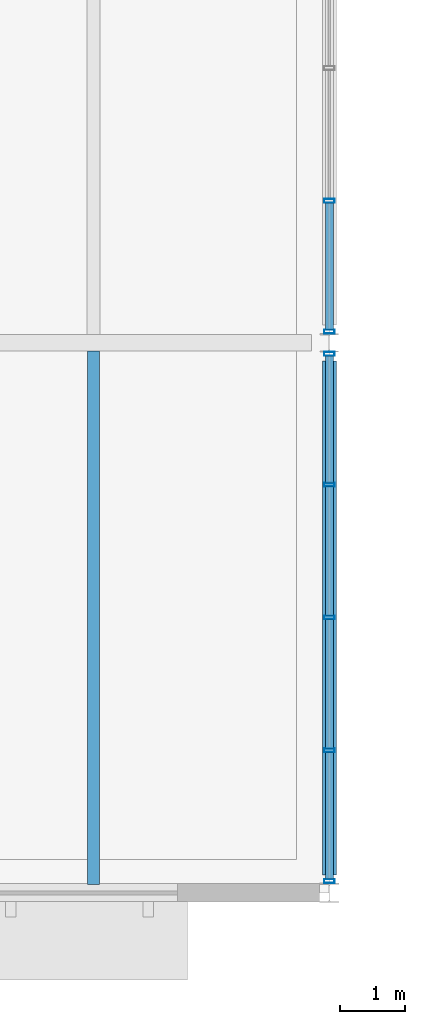
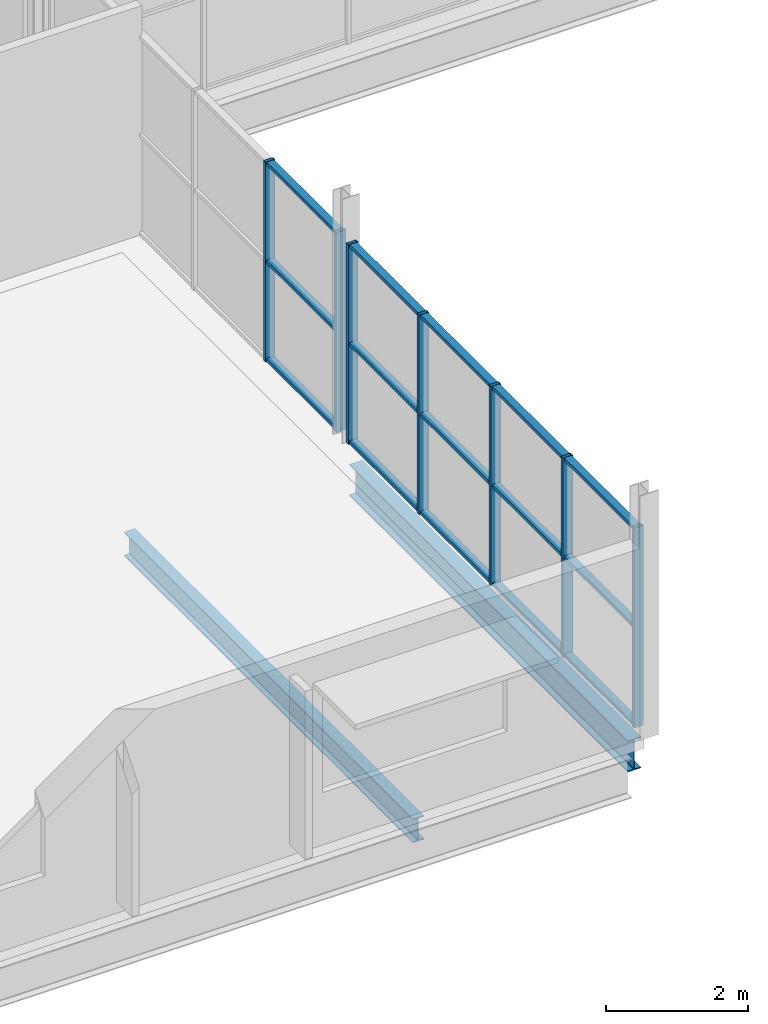
# One storey, part 30 of 161: 22 members, 2 beams, 2 elements without a shape of their own.
"""IFC4 building model written with IfcOpenShell, lengths in metres."""

from ifc_helpers import new_model, si_unit, direction, frame, origin, origin_2d, place, context, subcontext, project, spatial, hollow_rectangle, i_section, extrude, material, material_profile, profile_set, type_object, element, aggregate, save


model = new_model("IFC4")

# Units and contexts
model_context = context("Model", 3, precision=1e-05, world=origin(), true_north=direction((0.0, 1.0)))
body_context = subcontext(model_context, "Body", "Model", "MODEL_VIEW")
ifc_project = project(units=[si_unit("LENGTHUNIT", "METRE"), si_unit("AREAUNIT", "SQUARE_METRE"), si_unit("VOLUMEUNIT", "CUBIC_METRE"), si_unit("PLANEANGLEUNIT", "RADIAN"), si_unit("MASSUNIT", "GRAM", prefix="KILO"), si_unit("THERMODYNAMICTEMPERATUREUNIT", "KELVIN")], contexts=[model_context])

# Site, building, storey
site_placement = place(None, origin())
site = spatial("IfcSite", under=ifc_project, at=site_placement, CompositionType="ELEMENT")
building_placement = place(site_placement, origin())
building = spatial("IfcBuilding", under=site, at=building_placement, Name="Nduvali Passage Aquatics Centre", CompositionType="ELEMENT")
storey_placement = place(building_placement, frame((0.0, 0.0, 4.800048828125)))
storey = spatial("IfcBuildingStorey", under=building, at=storey_placement, Name="L01", CompositionType="ELEMENT", Elevation=4.800048828125)

# Curtain wall, members
ifc_material_1 = material(Name="Aluminium EN AW-6063 T6", Category="aluminium")
curtain_wall_type = type_object("IfcCurtainWallType", Name="ENV-CW-COUR", PredefinedType="NOTDEFINED", material=ifc_material_1)
curtain_wall_1_placement = place(storey_placement, origin())
curtain_wall_1 = element("IfcCurtainWall", 1, at=curtain_wall_1_placement, inside=storey, type_object=curtain_wall_type, Name="L01 Courtyard West Upper Cloister CW 169", PredefinedType="NOTDEFINED")
ifc_material_profile_1 = material_profile(ifc_material_1, hollow_rectangle(XDim=0.06005859375, YDim=0.159912109375, WallThickness=0.00390625, at=origin_2d()), Name="ALU MULLION 60x160x4")
ifc_profile_set_1 = profile_set([ifc_material_profile_1], Name="Aluminium EN AW-6063 T6")
member_type_1 = type_object("IfcMemberType", Name="ENV-MEM-MUL60", PredefinedType="MULLION", material=ifc_profile_set_1)
member_1_placement = place(storey_placement, frame((68.39990234375, 0.179931640625, 0.0), z_axis=(0.0, 0.0, 1.0), x_axis=(0.0, 1.0, 0.0)))
member_1 = element("IfcMember", 2, at=member_1_placement, type_object=member_type_1, Name="Courtyard West Upper Cloister CW Mullion 1", PredefinedType="MULLION", context=body_context, shape_type="SweptSolid", body=[
    extrude(hollow_rectangle(XDim=0.06005859375, YDim=0.159912109375, WallThickness=0.00390625, at=origin_2d()), origin(), (0.0, 0.0, 1.0), 3.436279296875),
])
member_2_placement = place(storey_placement, frame((68.39990234375, 2.177490234375, 0.0), z_axis=(0.0, 0.0, 1.0), x_axis=(0.0, 1.0, 0.0)))
member_2 = element("IfcMember", 3, at=member_2_placement, type_object=member_type_1, Name="Courtyard West Upper Cloister CW Mullion 2", PredefinedType="MULLION", context=body_context, shape_type="SweptSolid", body=[
    extrude(hollow_rectangle(XDim=0.06005859375, YDim=0.159912109375, WallThickness=0.00390625, at=origin_2d()), origin(), (0.0, 0.0, 1.0), 3.436279296875),
])
member_3_placement = place(storey_placement, frame((68.39990234375, 4.205078125, 0.0), z_axis=(0.0, 0.0, 1.0), x_axis=(0.0, 1.0, 0.0)))
member_3 = element("IfcMember", 4, at=member_3_placement, type_object=member_type_1, Name="Courtyard West Upper Cloister CW Mullion 3", PredefinedType="MULLION", context=body_context, shape_type="SweptSolid", body=[
    extrude(hollow_rectangle(XDim=0.06005859375, YDim=0.159912109375, WallThickness=0.00390625, at=origin_2d()), origin(), (0.0, 0.0, 1.0), 3.436279296875),
])
member_4_placement = place(storey_placement, frame((68.39990234375, 6.232421875, 0.0), z_axis=(0.0, 0.0, 1.0), x_axis=(0.0, 1.0, 0.0)))
member_4 = element("IfcMember", 5, at=member_4_placement, type_object=member_type_1, Name="Courtyard West Upper Cloister CW Mullion 4", PredefinedType="MULLION", context=body_context, shape_type="SweptSolid", body=[
    extrude(hollow_rectangle(XDim=0.06005859375, YDim=0.159912109375, WallThickness=0.00390625, at=origin_2d()), origin(), (0.0, 0.0, 1.0), 3.436279296875),
])
member_5_placement = place(storey_placement, frame((68.39990234375, 8.22998046875, 0.0), z_axis=(0.0, 0.0, 1.0), x_axis=(0.0, 1.0, 0.0)))
member_5 = element("IfcMember", 6, at=member_5_placement, type_object=member_type_1, Name="Courtyard West Upper Cloister CW Mullion 5", PredefinedType="MULLION", context=body_context, shape_type="SweptSolid", body=[
    extrude(hollow_rectangle(XDim=0.06005859375, YDim=0.159912109375, WallThickness=0.00390625, at=origin_2d()), origin(), (0.0, 0.0, 1.0), 3.436279296875),
])

curtain_wall_2_placement = place(storey_placement, origin())
curtain_wall_2 = element("IfcCurtainWall", 7, at=curtain_wall_2_placement, inside=storey, type_object=curtain_wall_type, Name="L01 Courtyard West Upper Cloister CW 173", PredefinedType="NOTDEFINED")
member_6_placement = place(storey_placement, frame((68.39990234375, 8.570068359375, 0.0), z_axis=(0.0, 0.0, 1.0), x_axis=(0.0, 1.0, 0.0)))
member_6 = element("IfcMember", 8, at=member_6_placement, type_object=member_type_1, Name="Courtyard West Upper Cloister CW Mullion 1", PredefinedType="MULLION", context=body_context, shape_type="SweptSolid", body=[
    extrude(hollow_rectangle(XDim=0.06005859375, YDim=0.159912109375, WallThickness=0.00390625, at=origin_2d()), origin(), (0.0, 0.0, 1.0), 3.436279296875),
])
member_7_placement = place(storey_placement, frame((68.39990234375, 10.5673828125, 0.0), z_axis=(0.0, 0.0, 1.0), x_axis=(0.0, 1.0, 0.0)))
member_7 = element("IfcMember", 9, at=member_7_placement, type_object=member_type_1, Name="Courtyard West Upper Cloister CW Mullion 2", PredefinedType="MULLION", context=body_context, shape_type="SweptSolid", body=[
    extrude(hollow_rectangle(XDim=0.06005859375, YDim=0.159912109375, WallThickness=0.00390625, at=origin_2d()), origin(), (0.0, 0.0, 1.0), 3.436279296875),
])

# Member
ifc_material_profile_2 = material_profile(ifc_material_1, hollow_rectangle(XDim=0.1201171875, YDim=0.06005859375, WallThickness=0.00390625, at=origin_2d()), Name="ALU TRANSOM 120x60x4")
ifc_profile_set_2 = profile_set([ifc_material_profile_2], Name="Aluminium EN AW-6063 T6")
member_type_2 = type_object("IfcMemberType", Name="ENV-MEM-TRN60", PredefinedType="USERDEFINED", material=ifc_profile_set_2)
member_8_placement = place(storey_placement, frame((68.39990234375, 0.2099609375, 0.030029296875), z_axis=(0.0, 1.0, 0.0), x_axis=(-1.0, 0.0, 0.0)))
member_8 = element("IfcMember", 10, at=member_8_placement, type_object=member_type_2, Name="Courtyard West Upper Cloister CW Transom B1-R0", ObjectType="TRANSOM", PredefinedType="USERDEFINED", context=body_context, shape_type="SweptSolid", body=[
    extrude(hollow_rectangle(XDim=0.1201171875, YDim=0.06005859375, WallThickness=0.00390625, at=origin_2d()), origin(), (0.0, 0.0, 1.0), 1.9375),
])

member_9_placement = place(storey_placement, frame((68.39990234375, 0.2099609375, 1.71826171875), z_axis=(0.0, 1.0, 0.0), x_axis=(-1.0, 0.0, 0.0)))
member_9 = element("IfcMember", 11, at=member_9_placement, type_object=member_type_2, Name="Courtyard West Upper Cloister CW Transom B1-R1", ObjectType="TRANSOM", PredefinedType="USERDEFINED", context=body_context, shape_type="SweptSolid", body=[
    extrude(hollow_rectangle(XDim=0.1201171875, YDim=0.06005859375, WallThickness=0.00390625, at=origin_2d()), origin(), (0.0, 0.0, 1.0), 1.9375),
])

member_10_placement = place(storey_placement, frame((68.39990234375, 0.2099609375, 3.40625), z_axis=(0.0, 1.0, 0.0), x_axis=(-1.0, 0.0, 0.0)))
member_10 = element("IfcMember", 12, at=member_10_placement, type_object=member_type_2, Name="Courtyard West Upper Cloister CW Transom B1-R2", ObjectType="TRANSOM", PredefinedType="USERDEFINED", context=body_context, shape_type="SweptSolid", body=[
    extrude(hollow_rectangle(XDim=0.1201171875, YDim=0.06005859375, WallThickness=0.00390625, at=origin_2d()), origin(), (0.0, 0.0, 1.0), 1.9375),
])

member_11_placement = place(storey_placement, frame((68.39990234375, 2.20751953125, 0.030029296875), z_axis=(0.0, 1.0, 0.0), x_axis=(-1.0, 0.0, 0.0)))
member_11 = element("IfcMember", 13, at=member_11_placement, type_object=member_type_2, Name="Courtyard West Upper Cloister CW Transom B2-R0", ObjectType="TRANSOM", PredefinedType="USERDEFINED", context=body_context, shape_type="SweptSolid", body=[
    extrude(hollow_rectangle(XDim=0.1201171875, YDim=0.06005859375, WallThickness=0.00390625, at=origin_2d()), origin(), (0.0, 0.0, 1.0), 1.967529296875),
])

member_12_placement = place(storey_placement, frame((68.39990234375, 2.20751953125, 1.71826171875), z_axis=(0.0, 1.0, 0.0), x_axis=(-1.0, 0.0, 0.0)))
member_12 = element("IfcMember", 14, at=member_12_placement, type_object=member_type_2, Name="Courtyard West Upper Cloister CW Transom B2-R1", ObjectType="TRANSOM", PredefinedType="USERDEFINED", context=body_context, shape_type="SweptSolid", body=[
    extrude(hollow_rectangle(XDim=0.1201171875, YDim=0.06005859375, WallThickness=0.00390625, at=origin_2d()), origin(), (0.0, 0.0, 1.0), 1.967529296875),
])

member_13_placement = place(storey_placement, frame((68.39990234375, 2.20751953125, 3.40625), z_axis=(0.0, 1.0, 0.0), x_axis=(-1.0, 0.0, 0.0)))
member_13 = element("IfcMember", 15, at=member_13_placement, type_object=member_type_2, Name="Courtyard West Upper Cloister CW Transom B2-R2", ObjectType="TRANSOM", PredefinedType="USERDEFINED", context=body_context, shape_type="SweptSolid", body=[
    extrude(hollow_rectangle(XDim=0.1201171875, YDim=0.06005859375, WallThickness=0.00390625, at=origin_2d()), origin(), (0.0, 0.0, 1.0), 1.967529296875),
])

member_14_placement = place(storey_placement, frame((68.39990234375, 4.235107421875, 0.030029296875), z_axis=(0.0, 1.0, 0.0), x_axis=(-1.0, 0.0, 0.0)))
member_14 = element("IfcMember", 16, at=member_14_placement, type_object=member_type_2, Name="Courtyard West Upper Cloister CW Transom B3-R0", ObjectType="TRANSOM", PredefinedType="USERDEFINED", context=body_context, shape_type="SweptSolid", body=[
    extrude(hollow_rectangle(XDim=0.1201171875, YDim=0.06005859375, WallThickness=0.00390625, at=origin_2d()), origin(), (0.0, 0.0, 1.0), 1.96728515625),
])

member_15_placement = place(storey_placement, frame((68.39990234375, 4.235107421875, 1.71826171875), z_axis=(0.0, 1.0, 0.0), x_axis=(-1.0, 0.0, 0.0)))
member_15 = element("IfcMember", 17, at=member_15_placement, type_object=member_type_2, Name="Courtyard West Upper Cloister CW Transom B3-R1", ObjectType="TRANSOM", PredefinedType="USERDEFINED", context=body_context, shape_type="SweptSolid", body=[
    extrude(hollow_rectangle(XDim=0.1201171875, YDim=0.06005859375, WallThickness=0.00390625, at=origin_2d()), origin(), (0.0, 0.0, 1.0), 1.96728515625),
])

member_16_placement = place(storey_placement, frame((68.39990234375, 4.235107421875, 3.40625), z_axis=(0.0, 1.0, 0.0), x_axis=(-1.0, 0.0, 0.0)))
member_16 = element("IfcMember", 18, at=member_16_placement, type_object=member_type_2, Name="Courtyard West Upper Cloister CW Transom B3-R2", ObjectType="TRANSOM", PredefinedType="USERDEFINED", context=body_context, shape_type="SweptSolid", body=[
    extrude(hollow_rectangle(XDim=0.1201171875, YDim=0.06005859375, WallThickness=0.00390625, at=origin_2d()), origin(), (0.0, 0.0, 1.0), 1.96728515625),
])

member_17_placement = place(storey_placement, frame((68.39990234375, 6.262451171875, 0.030029296875), z_axis=(0.0, 1.0, 0.0), x_axis=(-1.0, 0.0, 0.0)))
member_17 = element("IfcMember", 19, at=member_17_placement, type_object=member_type_2, Name="Courtyard West Upper Cloister CW Transom B4-R0", ObjectType="TRANSOM", PredefinedType="USERDEFINED", context=body_context, shape_type="SweptSolid", body=[
    extrude(hollow_rectangle(XDim=0.1201171875, YDim=0.06005859375, WallThickness=0.00390625, at=origin_2d()), origin(), (0.0, 0.0, 1.0), 1.9375),
])

member_18_placement = place(storey_placement, frame((68.39990234375, 6.262451171875, 1.71826171875), z_axis=(0.0, 1.0, 0.0), x_axis=(-1.0, 0.0, 0.0)))
member_18 = element("IfcMember", 20, at=member_18_placement, type_object=member_type_2, Name="Courtyard West Upper Cloister CW Transom B4-R1", ObjectType="TRANSOM", PredefinedType="USERDEFINED", context=body_context, shape_type="SweptSolid", body=[
    extrude(hollow_rectangle(XDim=0.1201171875, YDim=0.06005859375, WallThickness=0.00390625, at=origin_2d()), origin(), (0.0, 0.0, 1.0), 1.9375),
])

member_19_placement = place(storey_placement, frame((68.39990234375, 6.262451171875, 3.40625), z_axis=(0.0, 1.0, 0.0), x_axis=(-1.0, 0.0, 0.0)))
member_19 = element("IfcMember", 21, at=member_19_placement, type_object=member_type_2, Name="Courtyard West Upper Cloister CW Transom B4-R2", ObjectType="TRANSOM", PredefinedType="USERDEFINED", context=body_context, shape_type="SweptSolid", body=[
    extrude(hollow_rectangle(XDim=0.1201171875, YDim=0.06005859375, WallThickness=0.00390625, at=origin_2d()), origin(), (0.0, 0.0, 1.0), 1.9375),
])

aggregate(curtain_wall_1, [member_1, member_2, member_3, member_4, member_5, member_8, member_9, member_10, member_11, member_12, member_13, member_14, member_15, member_16, member_17, member_18, member_19])

member_20_placement = place(storey_placement, frame((68.39990234375, 8.60009765625, 0.030029296875), z_axis=(0.0, 1.0, 0.0), x_axis=(-1.0, 0.0, 0.0)))
member_20 = element("IfcMember", 22, at=member_20_placement, type_object=member_type_2, Name="Courtyard West Upper Cloister CW Transom B1-R0", ObjectType="TRANSOM", PredefinedType="USERDEFINED", context=body_context, shape_type="SweptSolid", body=[
    extrude(hollow_rectangle(XDim=0.1201171875, YDim=0.06005859375, WallThickness=0.00390625, at=origin_2d()), origin(), (0.0, 0.0, 1.0), 1.9375),
])

member_21_placement = place(storey_placement, frame((68.39990234375, 8.60009765625, 1.71826171875), z_axis=(0.0, 1.0, 0.0), x_axis=(-1.0, 0.0, 0.0)))
member_21 = element("IfcMember", 23, at=member_21_placement, type_object=member_type_2, Name="Courtyard West Upper Cloister CW Transom B1-R1", ObjectType="TRANSOM", PredefinedType="USERDEFINED", context=body_context, shape_type="SweptSolid", body=[
    extrude(hollow_rectangle(XDim=0.1201171875, YDim=0.06005859375, WallThickness=0.00390625, at=origin_2d()), origin(), (0.0, 0.0, 1.0), 1.9375),
])

member_22_placement = place(storey_placement, frame((68.39990234375, 8.60009765625, 3.40625), z_axis=(0.0, 1.0, 0.0), x_axis=(-1.0, 0.0, 0.0)))
member_22 = element("IfcMember", 24, at=member_22_placement, type_object=member_type_2, Name="Courtyard West Upper Cloister CW Transom B1-R2", ObjectType="TRANSOM", PredefinedType="USERDEFINED", context=body_context, shape_type="SweptSolid", body=[
    extrude(hollow_rectangle(XDim=0.1201171875, YDim=0.06005859375, WallThickness=0.00390625, at=origin_2d()), origin(), (0.0, 0.0, 1.0), 1.9375),
])

aggregate(curtain_wall_2, [member_6, member_7, member_20, member_21, member_22])

# Beams
ifc_material_2 = material(Name="Steel S355", Category="steel")
ifc_material_profile_3 = material_profile(ifc_material_2, i_section(OverallWidth=0.210693359375, OverallDepth=0.53955078125, WebThickness=0.01171875, FlangeThickness=0.018798828125, FilletRadius=0.0126953125, at=origin_2d()), Name="UKB 533x210x109")
ifc_profile_set_3 = profile_set([ifc_material_profile_3], Name="Steel S355")
beam_type_1 = type_object("IfcBeamType", Name="STR-BM-UKB533", PredefinedType="BEAM", material=ifc_profile_set_3)
beam_1_placement = place(storey_placement, frame((68.39990234375, 0.27490234375, -0.553955078125), z_axis=(0.0, 1.0, 0.0), x_axis=(-1.0, 0.0, 0.0)))
element("IfcBeam", 25, at=beam_1_placement, inside=storey, type_object=beam_type_1, Name="L01 Primary Y-Girder B6-0592", PredefinedType="BEAM", context=body_context, shape_type="SweptSolid", body=[
    extrude(i_section(OverallWidth=0.210693359375, OverallDepth=0.53955078125, WebThickness=0.01171875, FlangeThickness=0.018798828125, FilletRadius=0.0126953125, at=origin_2d()), origin(), (0.0, 0.0, 1.0), 7.85009765625),
])
ifc_material_profile_4 = material_profile(ifc_material_2, i_section(OverallWidth=0.1787109375, OverallDepth=0.409423828125, WebThickness=0.0087890625, FlangeThickness=0.014404296875, FilletRadius=0.01025390625, at=origin_2d()), Name="UKB 406x178x67")
ifc_profile_set_4 = profile_set([ifc_material_profile_4], Name="Steel S355")
beam_type_2 = type_object("IfcBeamType", Name="STR-JST-UKB406", PredefinedType="JOIST", material=ifc_profile_set_4)
beam_2_placement = place(storey_placement, frame((64.800048828125, 0.126708984375, -0.48876953125), z_axis=(0.0, 1.0, 0.0), x_axis=(-1.0, 0.0, 0.0)))
element("IfcBeam", 26, at=beam_2_placement, inside=storey, type_object=beam_type_2, Name="L01 Secondary Joist J1-0695", PredefinedType="JOIST", context=body_context, shape_type="SweptSolid", body=[
    extrude(i_section(OverallWidth=0.1787109375, OverallDepth=0.409423828125, WebThickness=0.0087890625, FlangeThickness=0.014404296875, FilletRadius=0.01025390625, at=origin_2d()), origin(), (0.0, 0.0, 1.0), 8.146484375),
])

save(model, "model.ifc")
